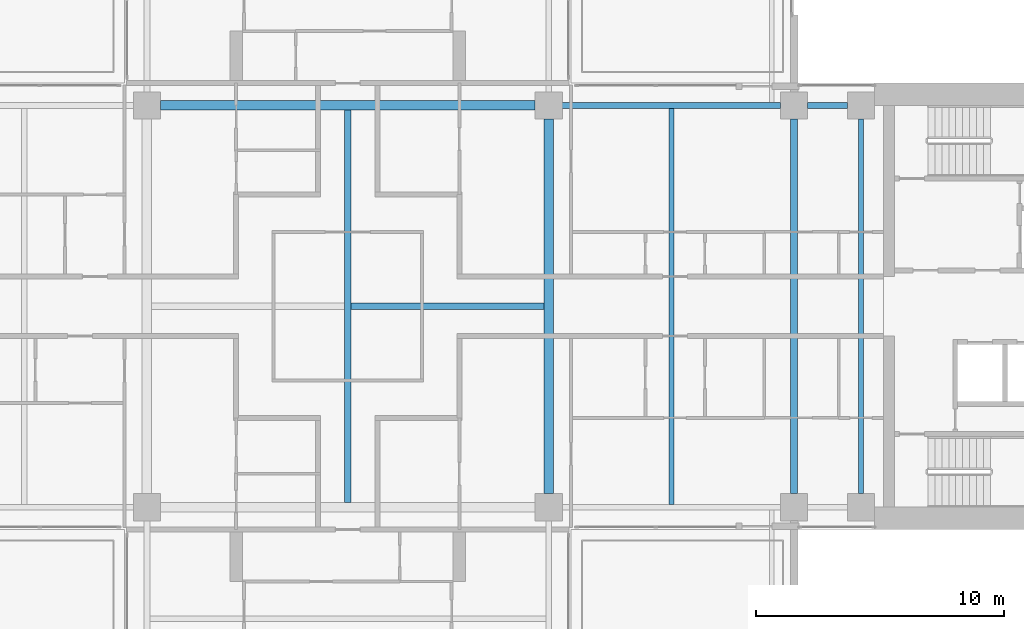
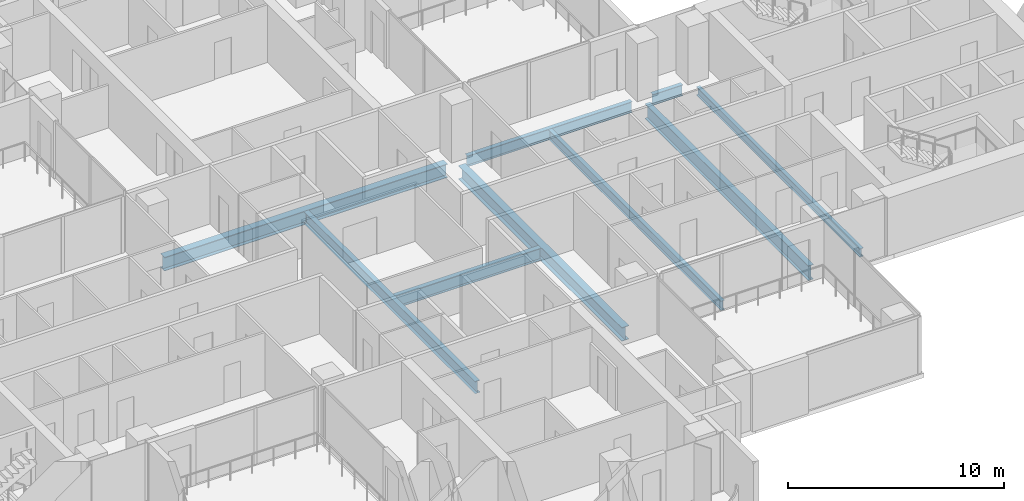
# One storey, part 4 of 18: 9 beams.
"""IFC4 building model written with IfcOpenShell, lengths in metres."""

from ifc_helpers import new_model, si_unit, direction, frame, origin, origin_2d, place, context, subcontext, project, spatial, i_section, extrude, material, material_profile, profile_set, type_object, element, save


model = new_model("IFC4")

# Units and contexts
model_context = context("Model", 3, precision=1e-05, world=origin(), true_north=direction((0.0, 1.0)))
body_context = subcontext(model_context, "Body", "Model", "MODEL_VIEW")
ifc_project = project(units=[si_unit("LENGTHUNIT", "METRE"), si_unit("AREAUNIT", "SQUARE_METRE"), si_unit("VOLUMEUNIT", "CUBIC_METRE"), si_unit("PLANEANGLEUNIT", "RADIAN"), si_unit("MASSUNIT", "GRAM", prefix="KILO")], contexts=[model_context])

# Site, building, storey
site_placement = place(None, origin())
site = spatial("IfcSite", under=ifc_project, at=site_placement, CompositionType="ELEMENT")
building_placement = place(site_placement, origin())
building = spatial("IfcBuilding", under=site, at=building_placement, Name="Perihelion Cross Residences", CompositionType="ELEMENT")
storey_placement = place(building_placement, frame((0.0, 0.0, 140.89990234375)))
storey = spatial("IfcBuildingStorey", under=building, at=storey_placement, Name="L34", CompositionType="ELEMENT", Elevation=140.89990234375)

# Beams
ifc_material_1 = material(Name="Steel S355", Category="steel")
ifc_material_profile_1 = material_profile(ifc_material_1, i_section(OverallWidth=0.194091796875, OverallDepth=0.469970703125, WebThickness=0.0126953125, FlangeThickness=0.0205078125, at=origin_2d()), Name="W460x106")
ifc_profile_set_1 = profile_set([ifc_material_profile_1], Name="Steel S355")
beam_type_1 = type_object("IfcBeamType", Name="Core edge beam W460x106", PredefinedType="BEAM", material=ifc_profile_set_1)
beam_1_placement = place(storey_placement, frame((20.699951171875, -7.550048828125, -0.48486328125), z_axis=(0.0, 1.0, 0.0), x_axis=(-1.0, 0.0, 0.0)))
element("IfcBeam", 1, at=beam_1_placement, inside=storey, type_object=beam_type_1, Name="Core edge beam TB5 L34 no. 2", PredefinedType="BEAM", context=body_context, shape_type="SweptSolid", body=[
    extrude(i_section(OverallWidth=0.194091796875, OverallDepth=0.469970703125, WebThickness=0.0126953125, FlangeThickness=0.0205078125, at=origin_2d()), origin(), (0.0, 0.0, 1.0), 15.10009765625),
])
ifc_material_2 = material(Name="Steel S355", Category="steel")
ifc_material_profile_2 = material_profile(ifc_material_2, i_section(OverallWidth=0.22900390625, OverallDepth=0.612060546875, WebThickness=0.011962890625, FlangeThickness=0.01953125, at=origin_2d()), Name="W610x125")
ifc_profile_set_2 = profile_set([ifc_material_profile_2], Name="Steel S355")
beam_type_2 = type_object("IfcBeamType", Name="Edge beam W610x125", PredefinedType="SPANDREL", material=ifc_profile_set_2)
beam_2_placement = place(storey_placement, frame((20.14990234375, 8.10009765625, -0.555908203125), z_axis=(-1.0, 0.0, 0.0), x_axis=(0.0, -1.0, 0.0)))
element("IfcBeam", 2, at=beam_2_placement, inside=storey, type_object=beam_type_2, Name="Edge beam SB3 L34 no. 13", PredefinedType="SPANDREL", context=body_context, shape_type="SweptSolid", body=[
    extrude(i_section(OverallWidth=0.22900390625, OverallDepth=0.612060546875, WebThickness=0.011962890625, FlangeThickness=0.01953125, at=origin_2d()), origin(), (0.0, 0.0, 1.0), 1.599853515625),
])
beam_3_placement = place(storey_placement, frame((17.449951171875, 8.10009765625, -0.555908203125), z_axis=(-1.0, 0.0, 0.0), x_axis=(0.0, -1.0, 0.0)))
element("IfcBeam", 3, at=beam_3_placement, inside=storey, type_object=beam_type_2, Name="Edge beam SB3 L34 no. 12", PredefinedType="SPANDREL", context=body_context, shape_type="SweptSolid", body=[
    extrude(i_section(OverallWidth=0.22900390625, OverallDepth=0.612060546875, WebThickness=0.011962890625, FlangeThickness=0.01953125, at=origin_2d()), origin(), (0.0, 0.0, 1.0), 8.800048828125),
])
ifc_material_3 = material(Name="Steel S355", Category="steel")
ifc_material_profile_3 = material_profile(ifc_material_3, i_section(OverallWidth=0.2919921875, OverallDepth=0.8359375, WebThickness=0.013916015625, FlangeThickness=0.018798828125, at=origin_2d()), Name="W840x176")
ifc_profile_set_3 = profile_set([ifc_material_profile_3], Name="Steel S355")
beam_type_3 = type_object("IfcBeamType", Name="Floor girder W840x176", PredefinedType="BEAM", material=ifc_profile_set_3)
beam_4_placement = place(storey_placement, frame((18.0, -7.550048828125, -0.66796875), z_axis=(0.0, 1.0, 0.0), x_axis=(-1.0, 0.0, 0.0)))
element("IfcBeam", 4, at=beam_4_placement, inside=storey, type_object=beam_type_3, Name="Girder G3 L34 no. 2", PredefinedType="BEAM", context=body_context, shape_type="SweptSolid", body=[
    extrude(i_section(OverallWidth=0.2919921875, OverallDepth=0.8359375, WebThickness=0.013916015625, FlangeThickness=0.018798828125, at=origin_2d()), origin(), (0.0, 0.0, 1.0), 15.10009765625),
])
ifc_material_4 = material(Name="Steel S355", Category="steel")
ifc_material_profile_4 = material_profile(ifc_material_4, i_section(OverallWidth=0.208984375, OverallDepth=0.532958984375, WebThickness=0.01025390625, FlangeThickness=0.015625, at=origin_2d()), Name="W530x92")
ifc_profile_set_4 = profile_set([ifc_material_profile_4], Name="Steel S355")
beam_type_4 = type_object("IfcBeamType", Name="Floor joist W530x92", PredefinedType="JOIST", material=ifc_profile_set_4)
beam_5_placement = place(storey_placement, frame((13.050048828125, -7.985595703125, -0.516357421875), z_axis=(0.0, 1.0, 0.0), x_axis=(-1.0, 0.0, 0.0)))
element("IfcBeam", 5, at=beam_5_placement, inside=storey, type_object=beam_type_4, Name="Joist J4 L34 no. 2", PredefinedType="JOIST", context=body_context, shape_type="SweptSolid", body=[
    extrude(i_section(OverallWidth=0.208984375, OverallDepth=0.532958984375, WebThickness=0.01025390625, FlangeThickness=0.015625, at=origin_2d()), origin(), (0.0, 0.0, 1.0), 15.97119140625),
])
ifc_material_5 = material(Name="Steel S355", Category="steel")
ifc_material_profile_5 = material_profile(ifc_material_5, i_section(OverallWidth=0.257080078125, OverallDepth=0.693115234375, WebThickness=0.014404296875, FlangeThickness=0.023681640625, at=origin_2d()), Name="W690x170")
ifc_profile_set_5 = profile_set([ifc_material_profile_5], Name="Steel S355")
beam_type_5 = type_object("IfcBeamType", Name="Hub cross beam W690x170", PredefinedType="BEAM", material=ifc_profile_set_5)
beam_6_placement = place(storey_placement, frame((0.0, -7.909423828125, -0.596435546875), z_axis=(0.0, 1.0, 0.0), x_axis=(-1.0, 0.0, 0.0)))
element("IfcBeam", 6, at=beam_6_placement, inside=storey, type_object=beam_type_5, Name="Hub cross beam XB3 L34 no. 1", PredefinedType="BEAM", context=body_context, shape_type="SweptSolid", body=[
    extrude(i_section(OverallWidth=0.257080078125, OverallDepth=0.693115234375, WebThickness=0.014404296875, FlangeThickness=0.023681640625, at=origin_2d()), origin(), (0.0, 0.0, 1.0), 15.81884765625),
])
beam_7_placement = place(storey_placement, frame((0.12841796875, 0.0, -0.596435546875), z_axis=(1.0, 0.0, 0.0), x_axis=(0.0, 1.0, 0.0)))
element("IfcBeam", 7, at=beam_7_placement, inside=storey, type_object=beam_type_5, Name="Hub cross beam XB3 L34 2 no. 1", PredefinedType="BEAM", context=body_context, shape_type="SweptSolid", body=[
    extrude(i_section(OverallWidth=0.257080078125, OverallDepth=0.693115234375, WebThickness=0.014404296875, FlangeThickness=0.023681640625, at=origin_2d()), origin(), (0.0, 0.0, 1.0), 7.781005859375),
])
ifc_material_6 = material(Name="Steel S355", Category="steel")
ifc_material_profile_6 = material_profile(ifc_material_6, i_section(OverallWidth=0.381103515625, OverallDepth=0.77197265625, WebThickness=0.0166015625, FlangeThickness=0.027099609375, at=origin_2d()), Name="W760x257")
ifc_profile_set_6 = profile_set([ifc_material_profile_6], Name="Steel S355")
beam_type_6 = type_object("IfcBeamType", Name="Hub ring girder W760x257", PredefinedType="BEAM", material=ifc_profile_set_6)
for number, where, z_axis, x_axis, name in (
    (8, (8.10009765625, -7.550048828125, -0.635986328125), (0.0, 1.0, 0.0), (-1.0, 0.0, 0.0), "Hub ring girder RG3 L34 no. 3"),
    (9, (7.550048828125, 8.10009765625, -0.635986328125), (-1.0, 0.0, 0.0), (0.0, -1.0, 0.0), "Hub ring girder RG3 L34 no. 4"),
):
    element("IfcBeam", number, at=place(storey_placement, frame(where, z_axis=z_axis, x_axis=x_axis)), inside=storey, type_object=beam_type_6, Name=name, PredefinedType="BEAM", context=body_context, shape_type="SweptSolid", body=[
        extrude(i_section(OverallWidth=0.381103515625, OverallDepth=0.77197265625, WebThickness=0.0166015625, FlangeThickness=0.027099609375, at=origin_2d()), origin(), (0.0, 0.0, 1.0), 15.10009765625),
    ])

save(model, "model.ifc")
